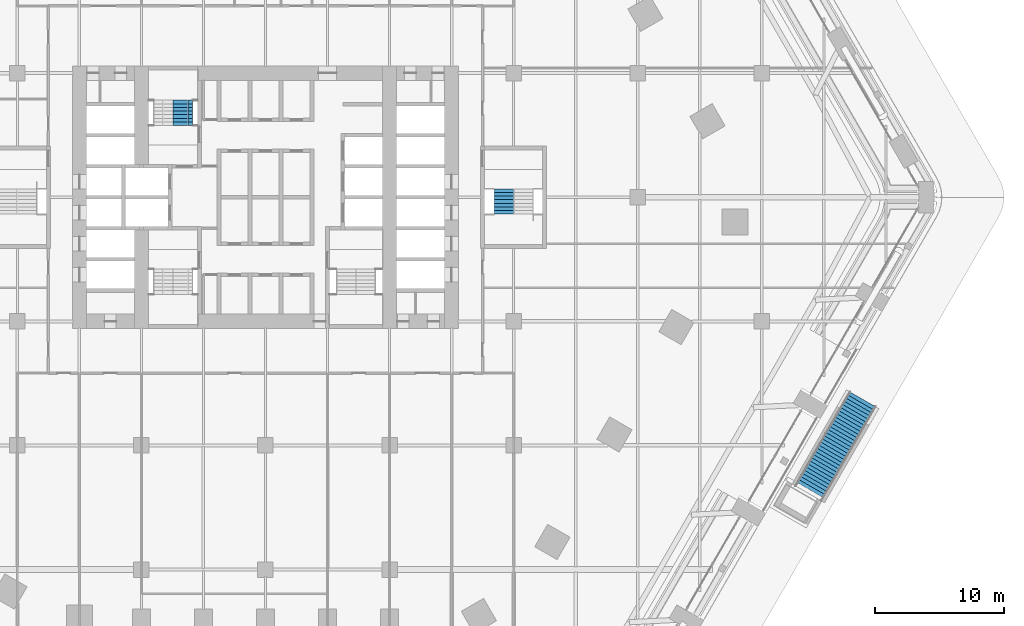
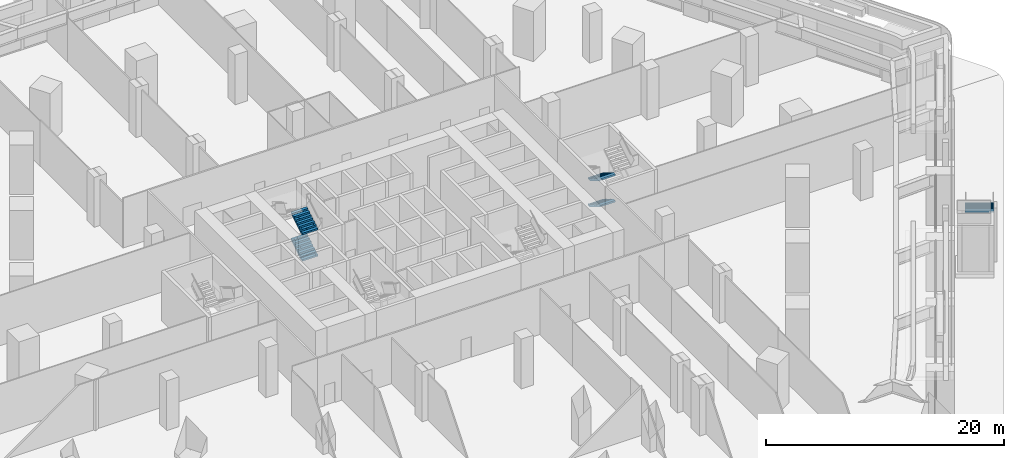
# One storey, part 27 of 34: 5 stair flights, 3 elements without a shape of their own.
"""IFC4 building model written with IfcOpenShell, lengths in metres."""

from ifc_helpers import new_model, si_unit, direction, frame, origin, place, context, subcontext, project, spatial, polyline, outline, extrude, material, type_object, element, aggregate, save


model = new_model("IFC4")

# Units and contexts
model_context = context("Model", 3, precision=1e-05, world=origin(), true_north=direction((0.0, 1.0)))
body_context = subcontext(model_context, "Body", "Model", "MODEL_VIEW")
ifc_project = project(units=[si_unit("LENGTHUNIT", "METRE"), si_unit("AREAUNIT", "SQUARE_METRE"), si_unit("VOLUMEUNIT", "CUBIC_METRE"), si_unit("PLANEANGLEUNIT", "RADIAN"), si_unit("MASSUNIT", "GRAM", prefix="KILO")], contexts=[model_context])

# Site, building, storey
site_placement = place(None, origin())
site = spatial("IfcSite", under=ifc_project, at=site_placement, CompositionType="ELEMENT")
building_placement = place(site_placement, origin())
building = spatial("IfcBuilding", under=site, at=building_placement, Name="Kolab Exchange Tower", CompositionType="ELEMENT")
storey_placement = place(building_placement, frame((0.0, 0.0, 7.0)))
storey = spatial("IfcBuildingStorey", under=building, at=storey_placement, Name="L01", CompositionType="ELEMENT", Elevation=7.0)

# Stair, stair flight
ifc_material_1 = material(Name="Concrete C40/50", Category="concrete")
stair_type_1 = type_object("IfcStairType", Name="GARDEN STAIR RUN B", PredefinedType="STRAIGHT_RUN_STAIR", material=ifc_material_1)
stair_1_placement = place(storey_placement, origin())
stair_1 = element("IfcStair", 1, at=stair_1_placement, inside=storey, type_object=stair_type_1, Name="Garden stair GS3 run B", PredefinedType="STRAIGHT_RUN_STAIR")
stair_flight_type_1 = type_object("IfcStairFlightType", Name="GARDEN STAIR FLIGHT B", PredefinedType="STRAIGHT", material=ifc_material_1)
stair_flight_1_placement = place(storey_placement, frame((46.19873046875, -15.6337890625, 0.0), z_axis=(0.0, 0.0, 1.0), x_axis=(-0.5, -0.866025403784, 0.0)))
stair_flight_1 = element("IfcStairFlight", 2, at=stair_flight_1_placement, type_object=stair_flight_type_1, Name="GS3 flight 1", NumberOfRisers=31, NumberOfTreads=30, PredefinedType="STRAIGHT", RiserHeight=0.174194, TreadLength=0.28, context=body_context, shape_type="SweptSolid", body=[
    extrude(outline(polyline([(0.0, 0.0), (0.0, 0.174072265625), (0.280029296875, 0.174072265625), (0.280029296875, 0.348388671875), (0.56005859375, 0.348388671875), (0.56005859375, 0.5224609375), (0.840087890625, 0.5224609375), (0.840087890625, 0.69677734375), (1.1201171875, 0.69677734375), (1.1201171875, 0.870849609375), (1.39990234375, 0.870849609375), (1.39990234375, 1.045166015625), (1.679931640625, 1.045166015625), (1.679931640625, 1.21923828125), (1.9599609375, 1.21923828125), (1.9599609375, 1.3935546875), (2.239990234375, 1.3935546875), (2.239990234375, 1.567626953125), (2.52001953125, 1.567626953125), (2.52001953125, 1.741943359375), (2.800048828125, 1.741943359375), (2.800048828125, 1.916015625), (3.080078125, 1.916015625), (3.080078125, 2.09033203125), (3.360107421875, 2.09033203125), (3.360107421875, 2.264404296875), (3.639892578125, 2.264404296875), (3.639892578125, 2.438720703125), (3.919921875, 2.438720703125), (3.919921875, 2.61279296875), (4.199951171875, 2.61279296875), (4.199951171875, 2.787109375), (4.47998046875, 2.787109375), (4.47998046875, 2.961181640625), (4.760009765625, 2.961181640625), (4.760009765625, 3.135498046875), (5.0400390625, 3.135498046875), (5.0400390625, 3.3095703125), (5.320068359375, 3.3095703125), (5.320068359375, 3.48388671875), (5.60009765625, 3.48388671875), (5.60009765625, 3.657958984375), (5.8798828125, 3.657958984375), (5.8798828125, 3.832275390625), (6.159912109375, 3.832275390625), (6.159912109375, 4.00634765625), (6.43994140625, 4.00634765625), (6.43994140625, 4.1806640625), (6.719970703125, 4.1806640625), (6.719970703125, 4.354736328125), (7.0, 4.354736328125), (7.0, 4.529052734375), (7.280029296875, 4.529052734375), (7.280029296875, 4.703125), (7.56005859375, 4.703125), (7.56005859375, 4.87744140625), (7.840087890625, 4.87744140625), (7.840087890625, 5.051513671875), (8.1201171875, 5.051513671875), (8.1201171875, 5.225830078125), (8.39990234375, 5.225830078125), (8.39990234375, 5.39990234375), (8.39990234375, 5.04931640625), (0.28369140625, 0.0), (0.0, 0.0)])), frame((0.0, 1.199951171875, 0.0), z_axis=(0.0, -1.0, 0.0), x_axis=(1.0, 0.0, 0.0)), (0.0, 0.0, 1.0), 2.39990234375),
])
aggregate(stair_1, [stair_flight_1])

# Stair, stair flights
ifc_material_2 = material(Name="Concrete C50/60", Category="concrete")
stair_type_2 = type_object("IfcStairType", Name="STAIR ST1 RISER 168.8", PredefinedType="DOUBLE_RETURN_STAIR", material=ifc_material_2)
stair_2_placement = place(storey_placement, origin())
stair_2 = element("IfcStair", 3, at=stair_2_placement, inside=storey, type_object=stair_type_2, Name="Stair 1", PredefinedType="DOUBLE_RETURN_STAIR")
stair_flight_type_2 = type_object("IfcStairFlightType", Name="STAIR FLIGHT 1500 RISER 168.8", PredefinedType="STRAIGHT", material=ifc_material_2)
stair_flight_2_placement = place(storey_placement, frame((-6.389892578125, 5.550048828125, 0.0), z_axis=(0.0, 0.0, 1.0), x_axis=(0.0, 1.0, 0.0)))
stair_flight_2 = element("IfcStairFlight", 4, at=stair_flight_2_placement, type_object=stair_flight_type_2, Name="ST1 flight 1", NumberOfRisers=8, NumberOfTreads=7, PredefinedType="STRAIGHT", RiserHeight=0.16875, TreadLength=0.28, context=body_context, shape_type="SweptSolid", body=[
    extrude(outline(polyline([(0.0, 0.0), (0.0, 0.168701171875), (0.280029296875, 0.168701171875), (0.280029296875, 0.33740234375), (0.56005859375, 0.33740234375), (0.56005859375, 0.50634765625), (0.840087890625, 0.50634765625), (0.840087890625, 0.675048828125), (1.1201171875, 0.675048828125), (1.1201171875, 0.84375), (1.39990234375, 0.84375), (1.39990234375, 1.012451171875), (1.679931640625, 1.012451171875), (1.679931640625, 1.18115234375), (1.9599609375, 1.18115234375), (1.9599609375, 1.35009765625), (1.9599609375, 1.00634765625), (0.29052734375, 0.0), (0.0, 0.0)])), frame((0.0, 0.75, 0.0), z_axis=(0.0, -1.0, 0.0), x_axis=(1.0, 0.0, 0.0)), (0.0, 0.0, 1.0), 0.185791015625),
    extrude(outline(polyline([(0.0, 0.0), (0.0, 0.168701171875), (0.280029296875, 0.168701171875), (0.280029296875, 0.33740234375), (0.56005859375, 0.33740234375), (0.56005859375, 0.50634765625), (0.840087890625, 0.50634765625), (0.840087890625, 0.675048828125), (1.1201171875, 0.675048828125), (1.1201171875, 0.84375), (1.39990234375, 0.84375), (1.39990234375, 1.012451171875), (1.679931640625, 1.012451171875), (1.679931640625, 1.18115234375), (1.9599609375, 1.18115234375), (1.9599609375, 1.35009765625), (1.9599609375, 1.00634765625), (0.29052734375, 0.0), (0.0, 0.0)])), frame((0.0, 0.562255859375, 0.0), z_axis=(0.0, -1.0, 0.0), x_axis=(1.0, 0.0, 0.0)), (0.0, 0.0, 1.0), 0.185791015625),
    extrude(outline(polyline([(0.0, 0.0), (0.0, 0.168701171875), (0.280029296875, 0.168701171875), (0.280029296875, 0.33740234375), (0.56005859375, 0.33740234375), (0.56005859375, 0.50634765625), (0.840087890625, 0.50634765625), (0.840087890625, 0.675048828125), (1.1201171875, 0.675048828125), (1.1201171875, 0.84375), (1.39990234375, 0.84375), (1.39990234375, 1.012451171875), (1.679931640625, 1.012451171875), (1.679931640625, 1.18115234375), (1.9599609375, 1.18115234375), (1.9599609375, 1.35009765625), (1.9599609375, 1.00634765625), (0.29052734375, 0.0), (0.0, 0.0)])), frame((0.0, 0.37451171875, 0.0), z_axis=(0.0, -1.0, 0.0), x_axis=(1.0, 0.0, 0.0)), (0.0, 0.0, 1.0), 0.185791015625),
    extrude(outline(polyline([(0.0, 0.0), (0.0, 0.168701171875), (0.280029296875, 0.168701171875), (0.280029296875, 0.33740234375), (0.56005859375, 0.33740234375), (0.56005859375, 0.50634765625), (0.840087890625, 0.50634765625), (0.840087890625, 0.675048828125), (1.1201171875, 0.675048828125), (1.1201171875, 0.84375), (1.39990234375, 0.84375), (1.39990234375, 1.012451171875), (1.679931640625, 1.012451171875), (1.679931640625, 1.18115234375), (1.9599609375, 1.18115234375), (1.9599609375, 1.35009765625), (1.9599609375, 1.00634765625), (0.29052734375, 0.0), (0.0, 0.0)])), frame((0.0, 0.186767578125, 0.0), z_axis=(0.0, -1.0, 0.0), x_axis=(1.0, 0.0, 0.0)), (0.0, 0.0, 1.0), 0.185791015625),
    extrude(outline(polyline([(0.0, 0.0), (0.0, 0.168701171875), (0.280029296875, 0.168701171875), (0.280029296875, 0.33740234375), (0.56005859375, 0.33740234375), (0.56005859375, 0.50634765625), (0.840087890625, 0.50634765625), (0.840087890625, 0.675048828125), (1.1201171875, 0.675048828125), (1.1201171875, 0.84375), (1.39990234375, 0.84375), (1.39990234375, 1.012451171875), (1.679931640625, 1.012451171875), (1.679931640625, 1.18115234375), (1.9599609375, 1.18115234375), (1.9599609375, 1.35009765625), (1.9599609375, 1.00634765625), (0.29052734375, 0.0), (0.0, 0.0)])), frame((0.0, -0.0009765625, 0.0), z_axis=(0.0, -1.0, 0.0), x_axis=(1.0, 0.0, 0.0)), (0.0, 0.0, 1.0), 0.185791015625),
    extrude(outline(polyline([(0.0, 0.0), (0.0, 0.168701171875), (0.280029296875, 0.168701171875), (0.280029296875, 0.33740234375), (0.56005859375, 0.33740234375), (0.56005859375, 0.50634765625), (0.840087890625, 0.50634765625), (0.840087890625, 0.675048828125), (1.1201171875, 0.675048828125), (1.1201171875, 0.84375), (1.39990234375, 0.84375), (1.39990234375, 1.012451171875), (1.679931640625, 1.012451171875), (1.679931640625, 1.18115234375), (1.9599609375, 1.18115234375), (1.9599609375, 1.35009765625), (1.9599609375, 1.00634765625), (0.29052734375, 0.0), (0.0, 0.0)])), frame((0.0, -0.188720703125, 0.0), z_axis=(0.0, -1.0, 0.0), x_axis=(1.0, 0.0, 0.0)), (0.0, 0.0, 1.0), 0.185791015625),
    extrude(outline(polyline([(0.0, 0.0), (0.0, 0.168701171875), (0.280029296875, 0.168701171875), (0.280029296875, 0.33740234375), (0.56005859375, 0.33740234375), (0.56005859375, 0.50634765625), (0.840087890625, 0.50634765625), (0.840087890625, 0.675048828125), (1.1201171875, 0.675048828125), (1.1201171875, 0.84375), (1.39990234375, 0.84375), (1.39990234375, 1.012451171875), (1.679931640625, 1.012451171875), (1.679931640625, 1.18115234375), (1.9599609375, 1.18115234375), (1.9599609375, 1.35009765625), (1.9599609375, 1.00634765625), (0.29052734375, 0.0), (0.0, 0.0)])), frame((0.0, -0.37646484375, 0.0), z_axis=(0.0, -1.0, 0.0), x_axis=(1.0, 0.0, 0.0)), (0.0, 0.0, 1.0), 0.185791015625),
    extrude(outline(polyline([(0.0, 0.0), (0.0, 0.168701171875), (0.280029296875, 0.168701171875), (0.280029296875, 0.33740234375), (0.56005859375, 0.33740234375), (0.56005859375, 0.50634765625), (0.840087890625, 0.50634765625), (0.840087890625, 0.675048828125), (1.1201171875, 0.675048828125), (1.1201171875, 0.84375), (1.39990234375, 0.84375), (1.39990234375, 1.012451171875), (1.679931640625, 1.012451171875), (1.679931640625, 1.18115234375), (1.9599609375, 1.18115234375), (1.9599609375, 1.35009765625), (1.9599609375, 1.00634765625), (0.29052734375, 0.0), (0.0, 0.0)])), frame((0.0, -0.564208984375, 0.0), z_axis=(0.0, -1.0, 0.0), x_axis=(1.0, 0.0, 0.0)), (0.0, 0.0, 1.0), 0.185791015625),
])
stair_flight_3_placement = place(storey_placement, frame((-6.389892578125, 5.550048828125, 2.699951171875), z_axis=(0.0, 0.0, 1.0), x_axis=(0.0, 1.0, 0.0)))
stair_flight_3 = element("IfcStairFlight", 5, at=stair_flight_3_placement, type_object=stair_flight_type_2, Name="ST1 flight 3", NumberOfRisers=8, NumberOfTreads=7, PredefinedType="STRAIGHT", RiserHeight=0.16875, TreadLength=0.28, context=body_context, shape_type="SweptSolid", body=[
    extrude(outline(polyline([(0.0, 0.0), (0.0, 0.168701171875), (0.280029296875, 0.168701171875), (0.280029296875, 0.33740234375), (0.56005859375, 0.33740234375), (0.56005859375, 0.50634765625), (0.840087890625, 0.50634765625), (0.840087890625, 0.675048828125), (1.1201171875, 0.675048828125), (1.1201171875, 0.84375), (1.39990234375, 0.84375), (1.39990234375, 1.012451171875), (1.679931640625, 1.012451171875), (1.679931640625, 1.18115234375), (1.9599609375, 1.18115234375), (1.9599609375, 1.35009765625), (1.9599609375, 1.00634765625), (0.29052734375, 0.0), (0.0, 0.0)])), frame((0.0, 0.75, 0.0), z_axis=(0.0, -1.0, 0.0), x_axis=(1.0, 0.0, 0.0)), (0.0, 0.0, 1.0), 0.185791015625),
    extrude(outline(polyline([(0.0, 0.0), (0.0, 0.168701171875), (0.280029296875, 0.168701171875), (0.280029296875, 0.33740234375), (0.56005859375, 0.33740234375), (0.56005859375, 0.50634765625), (0.840087890625, 0.50634765625), (0.840087890625, 0.675048828125), (1.1201171875, 0.675048828125), (1.1201171875, 0.84375), (1.39990234375, 0.84375), (1.39990234375, 1.012451171875), (1.679931640625, 1.012451171875), (1.679931640625, 1.18115234375), (1.9599609375, 1.18115234375), (1.9599609375, 1.35009765625), (1.9599609375, 1.00634765625), (0.29052734375, 0.0), (0.0, 0.0)])), frame((0.0, 0.562255859375, 0.0), z_axis=(0.0, -1.0, 0.0), x_axis=(1.0, 0.0, 0.0)), (0.0, 0.0, 1.0), 0.185791015625),
    extrude(outline(polyline([(0.0, 0.0), (0.0, 0.168701171875), (0.280029296875, 0.168701171875), (0.280029296875, 0.33740234375), (0.56005859375, 0.33740234375), (0.56005859375, 0.50634765625), (0.840087890625, 0.50634765625), (0.840087890625, 0.675048828125), (1.1201171875, 0.675048828125), (1.1201171875, 0.84375), (1.39990234375, 0.84375), (1.39990234375, 1.012451171875), (1.679931640625, 1.012451171875), (1.679931640625, 1.18115234375), (1.9599609375, 1.18115234375), (1.9599609375, 1.35009765625), (1.9599609375, 1.00634765625), (0.29052734375, 0.0), (0.0, 0.0)])), frame((0.0, 0.37451171875, 0.0), z_axis=(0.0, -1.0, 0.0), x_axis=(1.0, 0.0, 0.0)), (0.0, 0.0, 1.0), 0.185791015625),
    extrude(outline(polyline([(0.0, 0.0), (0.0, 0.168701171875), (0.280029296875, 0.168701171875), (0.280029296875, 0.33740234375), (0.56005859375, 0.33740234375), (0.56005859375, 0.50634765625), (0.840087890625, 0.50634765625), (0.840087890625, 0.675048828125), (1.1201171875, 0.675048828125), (1.1201171875, 0.84375), (1.39990234375, 0.84375), (1.39990234375, 1.012451171875), (1.679931640625, 1.012451171875), (1.679931640625, 1.18115234375), (1.9599609375, 1.18115234375), (1.9599609375, 1.35009765625), (1.9599609375, 1.00634765625), (0.29052734375, 0.0), (0.0, 0.0)])), frame((0.0, 0.186767578125, 0.0), z_axis=(0.0, -1.0, 0.0), x_axis=(1.0, 0.0, 0.0)), (0.0, 0.0, 1.0), 0.185791015625),
    extrude(outline(polyline([(0.0, 0.0), (0.0, 0.168701171875), (0.280029296875, 0.168701171875), (0.280029296875, 0.33740234375), (0.56005859375, 0.33740234375), (0.56005859375, 0.50634765625), (0.840087890625, 0.50634765625), (0.840087890625, 0.675048828125), (1.1201171875, 0.675048828125), (1.1201171875, 0.84375), (1.39990234375, 0.84375), (1.39990234375, 1.012451171875), (1.679931640625, 1.012451171875), (1.679931640625, 1.18115234375), (1.9599609375, 1.18115234375), (1.9599609375, 1.35009765625), (1.9599609375, 1.00634765625), (0.29052734375, 0.0), (0.0, 0.0)])), frame((0.0, -0.0009765625, 0.0), z_axis=(0.0, -1.0, 0.0), x_axis=(1.0, 0.0, 0.0)), (0.0, 0.0, 1.0), 0.185791015625),
    extrude(outline(polyline([(0.0, 0.0), (0.0, 0.168701171875), (0.280029296875, 0.168701171875), (0.280029296875, 0.33740234375), (0.56005859375, 0.33740234375), (0.56005859375, 0.50634765625), (0.840087890625, 0.50634765625), (0.840087890625, 0.675048828125), (1.1201171875, 0.675048828125), (1.1201171875, 0.84375), (1.39990234375, 0.84375), (1.39990234375, 1.012451171875), (1.679931640625, 1.012451171875), (1.679931640625, 1.18115234375), (1.9599609375, 1.18115234375), (1.9599609375, 1.35009765625), (1.9599609375, 1.00634765625), (0.29052734375, 0.0), (0.0, 0.0)])), frame((0.0, -0.188720703125, 0.0), z_axis=(0.0, -1.0, 0.0), x_axis=(1.0, 0.0, 0.0)), (0.0, 0.0, 1.0), 0.185791015625),
    extrude(outline(polyline([(0.0, 0.0), (0.0, 0.168701171875), (0.280029296875, 0.168701171875), (0.280029296875, 0.33740234375), (0.56005859375, 0.33740234375), (0.56005859375, 0.50634765625), (0.840087890625, 0.50634765625), (0.840087890625, 0.675048828125), (1.1201171875, 0.675048828125), (1.1201171875, 0.84375), (1.39990234375, 0.84375), (1.39990234375, 1.012451171875), (1.679931640625, 1.012451171875), (1.679931640625, 1.18115234375), (1.9599609375, 1.18115234375), (1.9599609375, 1.35009765625), (1.9599609375, 1.00634765625), (0.29052734375, 0.0), (0.0, 0.0)])), frame((0.0, -0.37646484375, 0.0), z_axis=(0.0, -1.0, 0.0), x_axis=(1.0, 0.0, 0.0)), (0.0, 0.0, 1.0), 0.185791015625),
    extrude(outline(polyline([(0.0, 0.0), (0.0, 0.168701171875), (0.280029296875, 0.168701171875), (0.280029296875, 0.33740234375), (0.56005859375, 0.33740234375), (0.56005859375, 0.50634765625), (0.840087890625, 0.50634765625), (0.840087890625, 0.675048828125), (1.1201171875, 0.675048828125), (1.1201171875, 0.84375), (1.39990234375, 0.84375), (1.39990234375, 1.012451171875), (1.679931640625, 1.012451171875), (1.679931640625, 1.18115234375), (1.9599609375, 1.18115234375), (1.9599609375, 1.35009765625), (1.9599609375, 1.00634765625), (0.29052734375, 0.0), (0.0, 0.0)])), frame((0.0, -0.564208984375, 0.0), z_axis=(0.0, -1.0, 0.0), x_axis=(1.0, 0.0, 0.0)), (0.0, 0.0, 1.0), 0.185791015625),
])
aggregate(stair_2, [stair_flight_2, stair_flight_3])

stair_type_3 = type_object("IfcStairType", Name="STAIR ST4 RISER 168.8", PredefinedType="DOUBLE_RETURN_STAIR", material=ifc_material_2)
stair_3_placement = place(storey_placement, origin())
stair_3 = element("IfcStair", 6, at=stair_3_placement, inside=storey, type_object=stair_type_3, Name="Stair 4", PredefinedType="DOUBLE_RETURN_STAIR")
stair_flight_4_placement = place(storey_placement, frame((18.43994140625, 0.64990234375, 0.0), z_axis=(0.0, 0.0, 1.0), x_axis=(0.0, -1.0, 0.0)))
stair_flight_4 = element("IfcStairFlight", 7, at=stair_flight_4_placement, type_object=stair_flight_type_2, Name="ST4 flight 1", NumberOfRisers=8, NumberOfTreads=7, PredefinedType="STRAIGHT", RiserHeight=0.16875, TreadLength=0.28, context=body_context, shape_type="SweptSolid", body=[
    extrude(outline(polyline([(0.0, 0.0), (0.0, 0.168701171875), (0.280029296875, 0.168701171875), (0.280029296875, 0.33740234375), (0.56005859375, 0.33740234375), (0.56005859375, 0.50634765625), (0.840087890625, 0.50634765625), (0.840087890625, 0.675048828125), (1.1201171875, 0.675048828125), (1.1201171875, 0.84375), (1.39990234375, 0.84375), (1.39990234375, 1.012451171875), (1.679931640625, 1.012451171875), (1.679931640625, 1.18115234375), (1.9599609375, 1.18115234375), (1.9599609375, 1.35009765625), (1.9599609375, 1.00634765625), (0.29052734375, 0.0), (0.0, 0.0)])), frame((0.0, 0.75, 0.0), z_axis=(0.0, -1.0, 0.0), x_axis=(1.0, 0.0, 0.0)), (0.0, 0.0, 1.0), 0.185791015625),
    extrude(outline(polyline([(0.0, 0.0), (0.0, 0.168701171875), (0.280029296875, 0.168701171875), (0.280029296875, 0.33740234375), (0.56005859375, 0.33740234375), (0.56005859375, 0.50634765625), (0.840087890625, 0.50634765625), (0.840087890625, 0.675048828125), (1.1201171875, 0.675048828125), (1.1201171875, 0.84375), (1.39990234375, 0.84375), (1.39990234375, 1.012451171875), (1.679931640625, 1.012451171875), (1.679931640625, 1.18115234375), (1.9599609375, 1.18115234375), (1.9599609375, 1.35009765625), (1.9599609375, 1.00634765625), (0.29052734375, 0.0), (0.0, 0.0)])), frame((0.0, 0.562255859375, 0.0), z_axis=(0.0, -1.0, 0.0), x_axis=(1.0, 0.0, 0.0)), (0.0, 0.0, 1.0), 0.185791015625),
    extrude(outline(polyline([(0.0, 0.0), (0.0, 0.168701171875), (0.280029296875, 0.168701171875), (0.280029296875, 0.33740234375), (0.56005859375, 0.33740234375), (0.56005859375, 0.50634765625), (0.840087890625, 0.50634765625), (0.840087890625, 0.675048828125), (1.1201171875, 0.675048828125), (1.1201171875, 0.84375), (1.39990234375, 0.84375), (1.39990234375, 1.012451171875), (1.679931640625, 1.012451171875), (1.679931640625, 1.18115234375), (1.9599609375, 1.18115234375), (1.9599609375, 1.35009765625), (1.9599609375, 1.00634765625), (0.29052734375, 0.0), (0.0, 0.0)])), frame((0.0, 0.37451171875, 0.0), z_axis=(0.0, -1.0, 0.0), x_axis=(1.0, 0.0, 0.0)), (0.0, 0.0, 1.0), 0.185791015625),
    extrude(outline(polyline([(0.0, 0.0), (0.0, 0.168701171875), (0.280029296875, 0.168701171875), (0.280029296875, 0.33740234375), (0.56005859375, 0.33740234375), (0.56005859375, 0.50634765625), (0.840087890625, 0.50634765625), (0.840087890625, 0.675048828125), (1.1201171875, 0.675048828125), (1.1201171875, 0.84375), (1.39990234375, 0.84375), (1.39990234375, 1.012451171875), (1.679931640625, 1.012451171875), (1.679931640625, 1.18115234375), (1.9599609375, 1.18115234375), (1.9599609375, 1.35009765625), (1.9599609375, 1.00634765625), (0.29052734375, 0.0), (0.0, 0.0)])), frame((0.0, 0.186767578125, 0.0), z_axis=(0.0, -1.0, 0.0), x_axis=(1.0, 0.0, 0.0)), (0.0, 0.0, 1.0), 0.185791015625),
    extrude(outline(polyline([(0.0, 0.0), (0.0, 0.168701171875), (0.280029296875, 0.168701171875), (0.280029296875, 0.33740234375), (0.56005859375, 0.33740234375), (0.56005859375, 0.50634765625), (0.840087890625, 0.50634765625), (0.840087890625, 0.675048828125), (1.1201171875, 0.675048828125), (1.1201171875, 0.84375), (1.39990234375, 0.84375), (1.39990234375, 1.012451171875), (1.679931640625, 1.012451171875), (1.679931640625, 1.18115234375), (1.9599609375, 1.18115234375), (1.9599609375, 1.35009765625), (1.9599609375, 1.00634765625), (0.29052734375, 0.0), (0.0, 0.0)])), frame((0.0, -0.0009765625, 0.0), z_axis=(0.0, -1.0, 0.0), x_axis=(1.0, 0.0, 0.0)), (0.0, 0.0, 1.0), 0.185791015625),
    extrude(outline(polyline([(0.0, 0.0), (0.0, 0.168701171875), (0.280029296875, 0.168701171875), (0.280029296875, 0.33740234375), (0.56005859375, 0.33740234375), (0.56005859375, 0.50634765625), (0.840087890625, 0.50634765625), (0.840087890625, 0.675048828125), (1.1201171875, 0.675048828125), (1.1201171875, 0.84375), (1.39990234375, 0.84375), (1.39990234375, 1.012451171875), (1.679931640625, 1.012451171875), (1.679931640625, 1.18115234375), (1.9599609375, 1.18115234375), (1.9599609375, 1.35009765625), (1.9599609375, 1.00634765625), (0.29052734375, 0.0), (0.0, 0.0)])), frame((0.0, -0.188720703125, 0.0), z_axis=(0.0, -1.0, 0.0), x_axis=(1.0, 0.0, 0.0)), (0.0, 0.0, 1.0), 0.185791015625),
    extrude(outline(polyline([(0.0, 0.0), (0.0, 0.168701171875), (0.280029296875, 0.168701171875), (0.280029296875, 0.33740234375), (0.56005859375, 0.33740234375), (0.56005859375, 0.50634765625), (0.840087890625, 0.50634765625), (0.840087890625, 0.675048828125), (1.1201171875, 0.675048828125), (1.1201171875, 0.84375), (1.39990234375, 0.84375), (1.39990234375, 1.012451171875), (1.679931640625, 1.012451171875), (1.679931640625, 1.18115234375), (1.9599609375, 1.18115234375), (1.9599609375, 1.35009765625), (1.9599609375, 1.00634765625), (0.29052734375, 0.0), (0.0, 0.0)])), frame((0.0, -0.37646484375, 0.0), z_axis=(0.0, -1.0, 0.0), x_axis=(1.0, 0.0, 0.0)), (0.0, 0.0, 1.0), 0.185791015625),
    extrude(outline(polyline([(0.0, 0.0), (0.0, 0.168701171875), (0.280029296875, 0.168701171875), (0.280029296875, 0.33740234375), (0.56005859375, 0.33740234375), (0.56005859375, 0.50634765625), (0.840087890625, 0.50634765625), (0.840087890625, 0.675048828125), (1.1201171875, 0.675048828125), (1.1201171875, 0.84375), (1.39990234375, 0.84375), (1.39990234375, 1.012451171875), (1.679931640625, 1.012451171875), (1.679931640625, 1.18115234375), (1.9599609375, 1.18115234375), (1.9599609375, 1.35009765625), (1.9599609375, 1.00634765625), (0.29052734375, 0.0), (0.0, 0.0)])), frame((0.0, -0.564208984375, 0.0), z_axis=(0.0, -1.0, 0.0), x_axis=(1.0, 0.0, 0.0)), (0.0, 0.0, 1.0), 0.185791015625),
])
stair_flight_5_placement = place(storey_placement, frame((18.43994140625, 0.64990234375, 2.699951171875), z_axis=(0.0, 0.0, 1.0), x_axis=(0.0, -1.0, 0.0)))
stair_flight_5 = element("IfcStairFlight", 8, at=stair_flight_5_placement, type_object=stair_flight_type_2, Name="ST4 flight 3", NumberOfRisers=8, NumberOfTreads=7, PredefinedType="STRAIGHT", RiserHeight=0.16875, TreadLength=0.28, context=body_context, shape_type="SweptSolid", body=[
    extrude(outline(polyline([(0.0, 0.0), (0.0, 0.168701171875), (0.280029296875, 0.168701171875), (0.280029296875, 0.33740234375), (0.56005859375, 0.33740234375), (0.56005859375, 0.50634765625), (0.840087890625, 0.50634765625), (0.840087890625, 0.675048828125), (1.1201171875, 0.675048828125), (1.1201171875, 0.84375), (1.39990234375, 0.84375), (1.39990234375, 1.012451171875), (1.679931640625, 1.012451171875), (1.679931640625, 1.18115234375), (1.9599609375, 1.18115234375), (1.9599609375, 1.35009765625), (1.9599609375, 1.00634765625), (0.29052734375, 0.0), (0.0, 0.0)])), frame((0.0, 0.75, 0.0), z_axis=(0.0, -1.0, 0.0), x_axis=(1.0, 0.0, 0.0)), (0.0, 0.0, 1.0), 0.185791015625),
    extrude(outline(polyline([(0.0, 0.0), (0.0, 0.168701171875), (0.280029296875, 0.168701171875), (0.280029296875, 0.33740234375), (0.56005859375, 0.33740234375), (0.56005859375, 0.50634765625), (0.840087890625, 0.50634765625), (0.840087890625, 0.675048828125), (1.1201171875, 0.675048828125), (1.1201171875, 0.84375), (1.39990234375, 0.84375), (1.39990234375, 1.012451171875), (1.679931640625, 1.012451171875), (1.679931640625, 1.18115234375), (1.9599609375, 1.18115234375), (1.9599609375, 1.35009765625), (1.9599609375, 1.00634765625), (0.29052734375, 0.0), (0.0, 0.0)])), frame((0.0, 0.562255859375, 0.0), z_axis=(0.0, -1.0, 0.0), x_axis=(1.0, 0.0, 0.0)), (0.0, 0.0, 1.0), 0.185791015625),
    extrude(outline(polyline([(0.0, 0.0), (0.0, 0.168701171875), (0.280029296875, 0.168701171875), (0.280029296875, 0.33740234375), (0.56005859375, 0.33740234375), (0.56005859375, 0.50634765625), (0.840087890625, 0.50634765625), (0.840087890625, 0.675048828125), (1.1201171875, 0.675048828125), (1.1201171875, 0.84375), (1.39990234375, 0.84375), (1.39990234375, 1.012451171875), (1.679931640625, 1.012451171875), (1.679931640625, 1.18115234375), (1.9599609375, 1.18115234375), (1.9599609375, 1.35009765625), (1.9599609375, 1.00634765625), (0.29052734375, 0.0), (0.0, 0.0)])), frame((0.0, 0.37451171875, 0.0), z_axis=(0.0, -1.0, 0.0), x_axis=(1.0, 0.0, 0.0)), (0.0, 0.0, 1.0), 0.185791015625),
    extrude(outline(polyline([(0.0, 0.0), (0.0, 0.168701171875), (0.280029296875, 0.168701171875), (0.280029296875, 0.33740234375), (0.56005859375, 0.33740234375), (0.56005859375, 0.50634765625), (0.840087890625, 0.50634765625), (0.840087890625, 0.675048828125), (1.1201171875, 0.675048828125), (1.1201171875, 0.84375), (1.39990234375, 0.84375), (1.39990234375, 1.012451171875), (1.679931640625, 1.012451171875), (1.679931640625, 1.18115234375), (1.9599609375, 1.18115234375), (1.9599609375, 1.35009765625), (1.9599609375, 1.00634765625), (0.29052734375, 0.0), (0.0, 0.0)])), frame((0.0, 0.186767578125, 0.0), z_axis=(0.0, -1.0, 0.0), x_axis=(1.0, 0.0, 0.0)), (0.0, 0.0, 1.0), 0.185791015625),
    extrude(outline(polyline([(0.0, 0.0), (0.0, 0.168701171875), (0.280029296875, 0.168701171875), (0.280029296875, 0.33740234375), (0.56005859375, 0.33740234375), (0.56005859375, 0.50634765625), (0.840087890625, 0.50634765625), (0.840087890625, 0.675048828125), (1.1201171875, 0.675048828125), (1.1201171875, 0.84375), (1.39990234375, 0.84375), (1.39990234375, 1.012451171875), (1.679931640625, 1.012451171875), (1.679931640625, 1.18115234375), (1.9599609375, 1.18115234375), (1.9599609375, 1.35009765625), (1.9599609375, 1.00634765625), (0.29052734375, 0.0), (0.0, 0.0)])), frame((0.0, -0.0009765625, 0.0), z_axis=(0.0, -1.0, 0.0), x_axis=(1.0, 0.0, 0.0)), (0.0, 0.0, 1.0), 0.185791015625),
    extrude(outline(polyline([(0.0, 0.0), (0.0, 0.168701171875), (0.280029296875, 0.168701171875), (0.280029296875, 0.33740234375), (0.56005859375, 0.33740234375), (0.56005859375, 0.50634765625), (0.840087890625, 0.50634765625), (0.840087890625, 0.675048828125), (1.1201171875, 0.675048828125), (1.1201171875, 0.84375), (1.39990234375, 0.84375), (1.39990234375, 1.012451171875), (1.679931640625, 1.012451171875), (1.679931640625, 1.18115234375), (1.9599609375, 1.18115234375), (1.9599609375, 1.35009765625), (1.9599609375, 1.00634765625), (0.29052734375, 0.0), (0.0, 0.0)])), frame((0.0, -0.188720703125, 0.0), z_axis=(0.0, -1.0, 0.0), x_axis=(1.0, 0.0, 0.0)), (0.0, 0.0, 1.0), 0.185791015625),
    extrude(outline(polyline([(0.0, 0.0), (0.0, 0.168701171875), (0.280029296875, 0.168701171875), (0.280029296875, 0.33740234375), (0.56005859375, 0.33740234375), (0.56005859375, 0.50634765625), (0.840087890625, 0.50634765625), (0.840087890625, 0.675048828125), (1.1201171875, 0.675048828125), (1.1201171875, 0.84375), (1.39990234375, 0.84375), (1.39990234375, 1.012451171875), (1.679931640625, 1.012451171875), (1.679931640625, 1.18115234375), (1.9599609375, 1.18115234375), (1.9599609375, 1.35009765625), (1.9599609375, 1.00634765625), (0.29052734375, 0.0), (0.0, 0.0)])), frame((0.0, -0.37646484375, 0.0), z_axis=(0.0, -1.0, 0.0), x_axis=(1.0, 0.0, 0.0)), (0.0, 0.0, 1.0), 0.185791015625),
    extrude(outline(polyline([(0.0, 0.0), (0.0, 0.168701171875), (0.280029296875, 0.168701171875), (0.280029296875, 0.33740234375), (0.56005859375, 0.33740234375), (0.56005859375, 0.50634765625), (0.840087890625, 0.50634765625), (0.840087890625, 0.675048828125), (1.1201171875, 0.675048828125), (1.1201171875, 0.84375), (1.39990234375, 0.84375), (1.39990234375, 1.012451171875), (1.679931640625, 1.012451171875), (1.679931640625, 1.18115234375), (1.9599609375, 1.18115234375), (1.9599609375, 1.35009765625), (1.9599609375, 1.00634765625), (0.29052734375, 0.0), (0.0, 0.0)])), frame((0.0, -0.564208984375, 0.0), z_axis=(0.0, -1.0, 0.0), x_axis=(1.0, 0.0, 0.0)), (0.0, 0.0, 1.0), 0.185791015625),
])
aggregate(stair_3, [stair_flight_4, stair_flight_5])

save(model, "model.ifc")
